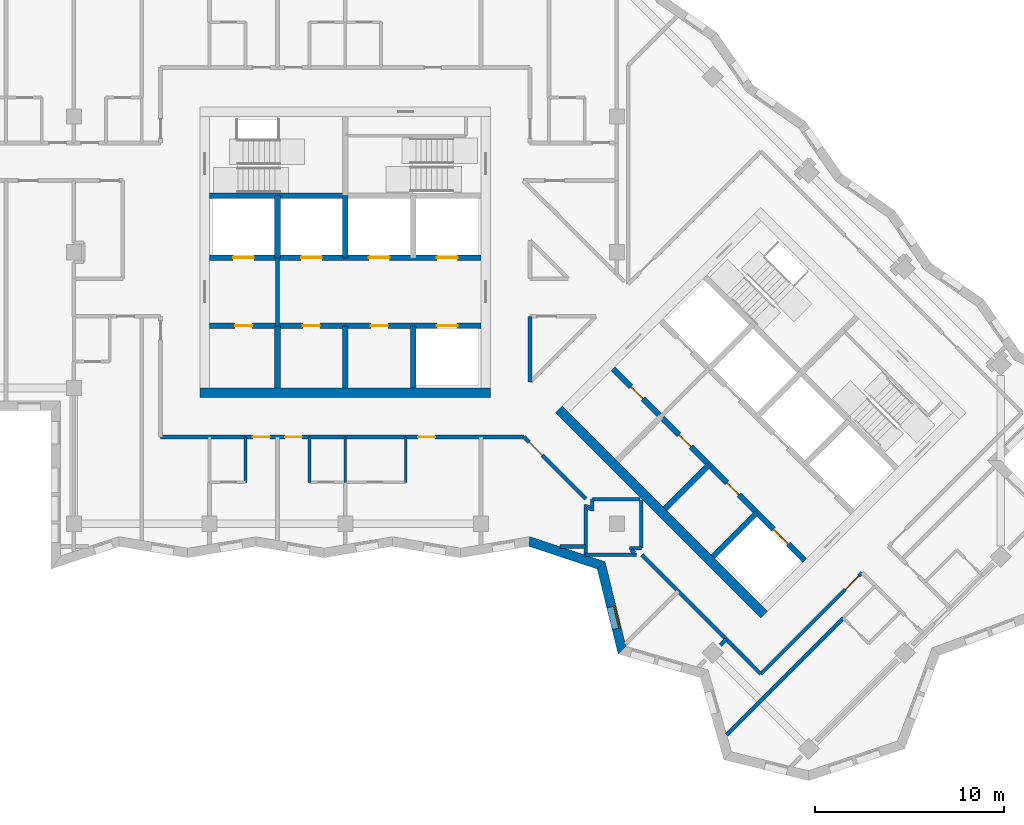
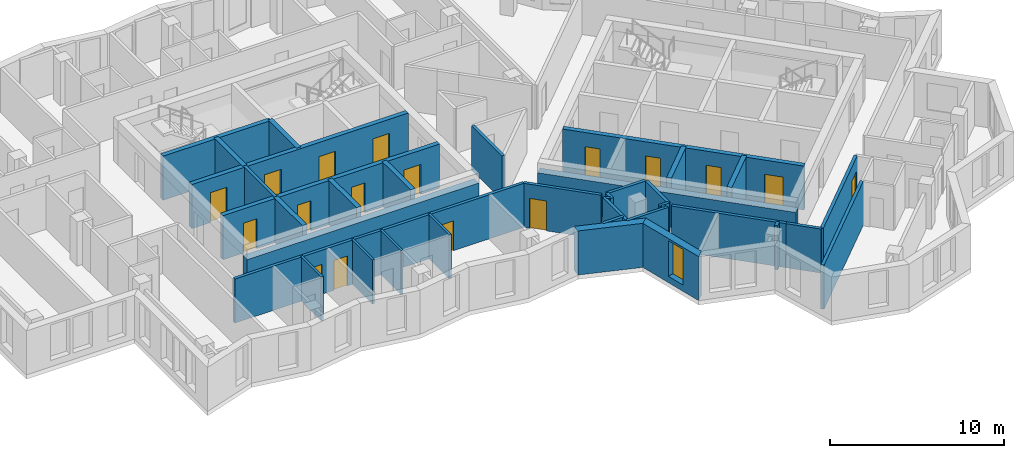
# One storey, part 4 of 13: 37 walls, 17 doors, 1 window, 18 openings.
"""IFC4 building model written with IfcOpenShell, lengths in metres."""

from ifc_helpers import new_model, si_unit, direction, frame, frame_2d, origin, place, context, subcontext, project, spatial, polyline, rectangle, outline, extrude, material, layer, layer_set, type_object, element, fill, save


model = new_model("IFC4")

# Units and contexts
model_context = context("Model", 3, precision=1e-05, world=origin(), true_north=direction((0.0, 1.0)))
body_context = subcontext(model_context, "Body", "Model", "MODEL_VIEW")
ifc_project = project(units=[si_unit("LENGTHUNIT", "METRE"), si_unit("AREAUNIT", "SQUARE_METRE"), si_unit("VOLUMEUNIT", "CUBIC_METRE"), si_unit("PLANEANGLEUNIT", "RADIAN"), si_unit("MASSUNIT", "GRAM", prefix="KILO")], contexts=[model_context])

# Site, building, storey
site_placement = place(None, origin())
site = spatial("IfcSite", under=ifc_project, at=site_placement, CompositionType="ELEMENT")
building_placement = place(site_placement, origin())
building = spatial("IfcBuilding", under=site, at=building_placement, Name="Windrow Commons", CompositionType="ELEMENT")
storey_placement = place(building_placement, frame((0.0, 0.0, 223.6)))
storey = spatial("IfcBuildingStorey", under=building, at=storey_placement, Name="L61", CompositionType="ELEMENT", Elevation=223.6)

# Wall
ifc_material_1 = material(Name="Brick masonry, red clay brick", Category="masonry")
ifc_layer_1 = layer(ifc_material_1, 0.5)
ifc_layer_set_1 = layer_set([ifc_layer_1], Name="Brick facade wall 500")
wall_type_1 = type_object("IfcWallType", Name="Brick facade wall 500", PredefinedType="SOLIDWALL", material=ifc_layer_set_1)
wall_1_placement = place(storey_placement, frame((74.5591, 42.2568, 0.0), z_axis=(0.0, 0.0, 1.0), x_axis=(0.9489644032, -0.3153831979, 0.0)))
element("IfcWall", 1, at=wall_1_placement, inside=storey, type_object=wall_type_1, Name="Brick facade wall L61 45", PredefinedType="SOLIDWALL", context=body_context, shape_type="SweptSolid", body=[
    extrude(outline(polyline([(0.062, -0.25), (3.8765, -0.25), (4.1524, 0.25), (-0.062, 0.25), (0.062, -0.25)])), origin(), (0.0, 0.0, 1.0), 3.1),
])

# Wall, opening, window
wall_2_placement = place(storey_placement, frame((78.3687, 40.9907, 0.0), z_axis=(0.0, 0.0, 1.0), x_axis=(0.2390889045, -0.9709976806, 0.0)))
wall_2 = element("IfcWall", 2, at=wall_2_placement, inside=storey, type_object=wall_type_1, Name="Brick facade wall L61 46", PredefinedType="SOLIDWALL", context=body_context, shape_type="SweptSolid", body=[
    extrude(outline(polyline([(0.138, -0.25), (4.7754, -0.25), (4.4857, 0.25), (-0.138, 0.25), (0.138, -0.25)])), origin(), (0.0, 0.0, 1.0), 3.1),
])
opening_1_placement = place(wall_2_placement, frame((2.259, 0.0, 0.45)))
opening_1 = element("IfcOpeningElement", 3, at=opening_1_placement, cuts=wall_2, Name="Opening W7E", PredefinedType="OPENING", context=body_context, shape_type="SweptSolid", body=[
    extrude(rectangle(XDim=1.2, YDim=2.5, at=frame_2d((0.6, 1.25))), frame((0.0, 0.26, 0.0), z_axis=(0.0, -1.0, 0.0), x_axis=(1.0, 0.0, 0.0)), (0.0, 0.0, 1.0), 0.52),
])
ifc_material_2 = material(Name="Clear float glass in anodised aluminium frame", Category="aluminium")
window_type = type_object("IfcWindowType", Name="Window W7 notch 1200x2500", PartitioningType="SINGLE_PANEL", PredefinedType="WINDOW", material=ifc_material_2)
window_placement = place(opening_1_placement, origin())
window = element("IfcWindow", 4, at=window_placement, inside=storey, type_object=window_type, Name="Window L61 46.1", OverallHeight=2.5, OverallWidth=1.2, PartitioningType="SINGLE_PANEL", PredefinedType="WINDOW", context=body_context, shape_type="SweptSolid", body=[
    extrude(rectangle(XDim=1.2, YDim=2.5, at=frame_2d((0.6, 1.25))), frame((0.0, 0.18, 0.0), z_axis=(0.0, -1.0, 0.0), x_axis=(1.0, 0.0, 0.0)), (0.0, 0.0, 1.0), 0.06),
])
fill(opening_1, window)

# Wall
ifc_material_3 = material(Name="Blockwork partition", Category="masonry")
ifc_layer_2 = layer(ifc_material_3, 0.2)
ifc_layer_set_2 = layer_set([ifc_layer_2], Name="Fire lobby partition 200")
wall_type_2 = type_object("IfcWallType", Name="Fire lobby partition 200", PredefinedType="PARTITIONING", material=ifc_layer_set_2)
wall_3_placement = place(storey_placement, frame((61.2, 53.7, 0.0), z_axis=(0.0, 0.0, 1.0), x_axis=(0.0, 1.0, 0.0)))
element("IfcWall", 5, at=wall_3_placement, inside=storey, type_object=wall_type_2, Name="W-core-lobby-A-L61", PredefinedType="PARTITIONING", context=body_context, shape_type="SweptSolid", body=[
    extrude(rectangle(XDim=3.6, YDim=0.2, at=frame_2d((1.8, 0.0))), origin(), (0.0, 0.0, 1.0), 3.1),
])

# Wall, openings, doors
ifc_material_4 = material(Name="Blockwork partition", Category="masonry")
ifc_layer_3 = layer(ifc_material_4, 0.2)
ifc_layer_set_3 = layer_set([ifc_layer_3], Name="IW-CORRIDOR-200")
wall_type_3 = type_object("IfcWallType", Name="IW-CORRIDOR-200", PredefinedType="PARTITIONING", material=ifc_layer_set_3)
wall_4_placement = place(storey_placement, frame((55.0, 47.8, 0.0), z_axis=(0.0, 0.0, 1.0), x_axis=(1.0, 0.0, 0.0)))
wall_4 = element("IfcWall", 6, at=wall_4_placement, inside=storey, type_object=wall_type_3, Name="W-L61-W001", PredefinedType="PARTITIONING", context=body_context, shape_type="SweptSolid", body=[
    extrude(rectangle(XDim=19.266, YDim=0.2, at=frame_2d((9.633, 0.0))), origin(), (0.0, 0.0, 1.0), 3.1),
])
opening_2_placement = place(wall_4_placement, frame((4.9, 0.0, 0.0)))
opening_2 = element("IfcOpeningElement", 7, at=opening_2_placement, cuts=wall_4, Name="Opening D109S", PredefinedType="OPENING", context=body_context, shape_type="SweptSolid", body=[
    extrude(rectangle(XDim=0.9, YDim=2.1, at=frame_2d((0.45, 1.05))), frame((0.0, 0.11, 0.0), z_axis=(0.0, -1.0, 0.0), x_axis=(1.0, 0.0, 0.0)), (0.0, 0.0, 1.0), 0.22),
])
opening_3_placement = place(wall_4_placement, frame((6.6, 0.0, 0.0)))
opening_3 = element("IfcOpeningElement", 8, at=opening_3_placement, cuts=wall_4, Name="Opening D109S", PredefinedType="OPENING", context=body_context, shape_type="SweptSolid", body=[
    extrude(rectangle(XDim=0.9, YDim=2.1, at=frame_2d((0.45, 1.05))), frame((0.0, 0.11, 0.0), z_axis=(0.0, -1.0, 0.0), x_axis=(1.0, 0.0, 0.0)), (0.0, 0.0, 1.0), 0.22),
])
opening_4_placement = place(wall_4_placement, frame((13.6607, 0.0, 0.0)))
opening_4 = element("IfcOpeningElement", 9, at=opening_4_placement, cuts=wall_4, Name="Opening D109F", PredefinedType="OPENING", context=body_context, shape_type="SweptSolid", body=[
    extrude(rectangle(XDim=0.9, YDim=2.1, at=frame_2d((0.45, 1.05))), frame((0.0, 0.11, 0.0), z_axis=(0.0, -1.0, 0.0), x_axis=(1.0, 0.0, 0.0)), (0.0, 0.0, 1.0), 0.22),
])
ifc_material_5 = material(Name="Timber door leaf", Category="wood")
door_type_1 = type_object("IfcDoorType", Name="DT-BEDROOM-900", OperationType="SINGLE_SWING_LEFT", PredefinedType="DOOR", material=ifc_material_5)
door_1_placement = place(opening_2_placement, origin())
door_1 = element("IfcDoor", 10, at=door_1_placement, inside=storey, type_object=door_type_1, Name="D-L61-D030", OperationType="SINGLE_SWING_LEFT", OverallHeight=2.1, OverallWidth=0.9, PredefinedType="DOOR", context=body_context, shape_type="SweptSolid", body=[
    extrude(rectangle(XDim=0.9, YDim=2.1, at=frame_2d((0.45, 1.05))), frame((0.0, 0.025, 0.0), z_axis=(0.0, -1.0, 0.0), x_axis=(1.0, 0.0, 0.0)), (0.0, 0.0, 1.0), 0.05),
])
fill(opening_2, door_1)
door_2_placement = place(opening_3_placement, origin())
door_2 = element("IfcDoor", 11, at=door_2_placement, inside=storey, type_object=door_type_1, Name="D-L61-D032", OperationType="SINGLE_SWING_RIGHT", OverallHeight=2.1, OverallWidth=0.9, PredefinedType="DOOR", context=body_context, shape_type="SweptSolid", body=[
    extrude(rectangle(XDim=0.9, YDim=2.1, at=frame_2d((0.45, 1.05))), frame((0.0, 0.025, 0.0), z_axis=(0.0, -1.0, 0.0), x_axis=(1.0, 0.0, 0.0)), (0.0, 0.0, 1.0), 0.05),
])
fill(opening_3, door_2)
door_3_placement = place(opening_4_placement, origin())
door_3 = element("IfcDoor", 12, at=door_3_placement, inside=storey, type_object=door_type_1, Name="D-L61-D034", OperationType="SINGLE_SWING_LEFT", OverallHeight=2.1, OverallWidth=0.9, PredefinedType="DOOR", context=body_context, shape_type="SweptSolid", body=[
    extrude(rectangle(XDim=0.9, YDim=2.1, at=frame_2d((0.45, 1.05))), frame((0.0, 0.025, 0.0), z_axis=(0.0, -1.0, 0.0), x_axis=(1.0, 0.0, 0.0)), (0.0, 0.0, 1.0), 0.05),
])
fill(opening_4, door_3)

# Wall, opening, door
wall_5_placement = place(storey_placement, frame((86.8353, 35.2307, 0.0), z_axis=(0.0, 0.0, 1.0), x_axis=(0.7071067812, 0.7071067812, 0.0)))
wall_5 = element("IfcWall", 13, at=wall_5_placement, inside=storey, type_object=wall_type_3, Name="W-L61-W013", PredefinedType="PARTITIONING", context=body_context, shape_type="SweptSolid", body=[
    extrude(rectangle(XDim=7.6, YDim=0.2, at=frame_2d((3.8, 0.0))), origin(), (0.0, 0.0, 1.0), 3.1),
])
opening_5_placement = place(wall_5_placement, frame((6.3464, 0.0, 0.0)))
opening_5 = element("IfcOpeningElement", 14, at=opening_5_placement, cuts=wall_5, Name="Opening D310F", PredefinedType="OPENING", context=body_context, shape_type="SweptSolid", body=[
    extrude(rectangle(XDim=1.0, YDim=2.1, at=frame_2d((0.5, 1.05))), frame((0.0, 0.11, 0.0), z_axis=(0.0, -1.0, 0.0), x_axis=(1.0, 0.0, 0.0)), (0.0, 0.0, 1.0), 0.22),
])
ifc_material_6 = material(Name="Timber door leaf", Category="wood")
door_type_2 = type_object("IfcDoorType", Name="DT-AMENITY-1000", OperationType="SINGLE_SWING_LEFT", PredefinedType="DOOR", material=ifc_material_6)
door_4_placement = place(opening_5_placement, origin())
door_4 = element("IfcDoor", 15, at=door_4_placement, inside=storey, type_object=door_type_2, Name="D-L61-D050", OperationType="SINGLE_SWING_RIGHT", OverallHeight=2.1, OverallWidth=1.0, PredefinedType="DOOR", context=body_context, shape_type="SweptSolid", body=[
    extrude(rectangle(XDim=1.0, YDim=2.1, at=frame_2d((0.5, 1.05))), frame((0.0, 0.025, 0.0), z_axis=(0.0, -1.0, 0.0), x_axis=(1.0, 0.0, 0.0)), (0.0, 0.0, 1.0), 0.05),
])
fill(opening_5, door_4)

# Wall
wall_6_placement = place(storey_placement, frame((80.5215, 41.5535, 0.0), z_axis=(0.0, 0.0, 1.0), x_axis=(0.7071067812, -0.7071067812, 0.0)))
element("IfcWall", 16, at=wall_6_placement, inside=storey, type_object=wall_type_3, Name="W-L61-W018", PredefinedType="PARTITIONING", context=body_context, shape_type="SweptSolid", body=[
    extrude(rectangle(XDim=6.8363, YDim=0.2, at=frame_2d((3.4181, 0.0))), origin(), (0.0, 0.0, 1.0), 3.1),
])

# Wall, opening, door
wall_7_placement = place(storey_placement, frame((74.2715, 47.8035, 0.0), z_axis=(0.0, 0.0, 1.0), x_axis=(0.7071067812, -0.7071067812, 0.0)))
wall_7 = element("IfcWall", 17, at=wall_7_placement, inside=storey, type_object=wall_type_3, Name="W-L61-W036", PredefinedType="PARTITIONING", context=body_context, shape_type="SweptSolid", body=[
    extrude(rectangle(XDim=4.6414, YDim=0.2, at=frame_2d((2.3207, 0.0))), origin(), (0.0, 0.0, 1.0), 3.1),
])
opening_6_placement = place(wall_7_placement, frame((0.3824, 0.0, 0.0)))
opening_6 = element("IfcOpeningElement", 18, at=opening_6_placement, cuts=wall_7, Name="Opening D310F", PredefinedType="OPENING", context=body_context, shape_type="SweptSolid", body=[
    extrude(rectangle(XDim=1.0, YDim=2.1, at=frame_2d((0.5, 1.05))), frame((0.0, 0.11, 0.0), z_axis=(0.0, -1.0, 0.0), x_axis=(1.0, 0.0, 0.0)), (0.0, 0.0, 1.0), 0.22),
])
door_5_placement = place(opening_6_placement, origin())
door_5 = element("IfcDoor", 19, at=door_5_placement, inside=storey, type_object=door_type_2, Name="D-L61-D036", OperationType="SINGLE_SWING_LEFT", OverallHeight=2.1, OverallWidth=1.0, PredefinedType="DOOR", context=body_context, shape_type="SweptSolid", body=[
    extrude(rectangle(XDim=1.0, YDim=2.1, at=frame_2d((0.5, 1.05))), frame((0.0, 0.025, 0.0), z_axis=(0.0, -1.0, 0.0), x_axis=(1.0, 0.0, 0.0)), (0.0, 0.0, 1.0), 0.05),
])
fill(opening_6, door_5)

# Walls
wall_8_placement = place(storey_placement, frame((74.6, 50.714, 0.0), z_axis=(0.0, 0.0, 1.0), x_axis=(0.0, 1.0, 0.0)))
element("IfcWall", 20, at=wall_8_placement, inside=storey, type_object=wall_type_3, Name="W-L61-W058", PredefinedType="PARTITIONING", context=body_context, shape_type="SweptSolid", body=[
    extrude(rectangle(XDim=3.486, YDim=0.2, at=frame_2d((1.743, 0.0))), origin(), (0.0, 0.0, 1.0), 3.1),
])
for number, where, z_axis, x_axis, name in (
    (21, (77.902, 44.5, 0.0), (0.0, 0.0, 1.0), (1.0, 0.0, 0.0), "W-L61-W068"),
    (22, (80.5, 41.902, 0.0), (0.0, 0.0, 1.0), (0.0, 1.0, 0.0), "W-L61-W069"),
):
    element("IfcWall", number, at=place(storey_placement, frame(where, z_axis=z_axis, x_axis=x_axis)), inside=storey, type_object=wall_type_3, Name=name, PredefinedType="PARTITIONING", context=body_context, shape_type="SweptSolid", body=[
        extrude(rectangle(XDim=2.522, YDim=0.2, at=frame_2d((1.261, 0.0))), origin(), (0.0, 0.0, 1.0), 3.1),
    ])
wall_9_placement = place(storey_placement, frame((85.3532, 36.7172, 0.0), z_axis=(0.0, 0.0, 1.0), x_axis=(0.7066304548, -0.7075827869, 0.0)))
element("IfcWall", 23, at=wall_9_placement, inside=storey, type_object=wall_type_3, Name="W-L61-W104", PredefinedType="PARTITIONING", context=body_context, shape_type="SweptSolid", body=[
    extrude(rectangle(XDim=2.1001, YDim=0.2, at=frame_2d((1.05, 0.0))), origin(), (0.0, 0.0, 1.0), 3.1),
])
for number, where, z_axis, x_axis, name in (
    (24, (77.9, 43.884, 0.0), (0.0, 0.0, 1.0), (0.0, 1.0, 0.0), "W-L61-W156"),
    (25, (79.884, 41.9, 0.0), (0.0, 0.0, 1.0), (1.0, 0.0, 0.0), "W-L61-W157"),
):
    element("IfcWall", number, at=place(storey_placement, frame(where, z_axis=z_axis, x_axis=x_axis)), inside=storey, type_object=wall_type_3, Name=name, PredefinedType="PARTITIONING", context=body_context, shape_type="SweptSolid", body=[
        extrude(rectangle(XDim=0.616, YDim=0.2, at=frame_2d((0.308, 0.0))), origin(), (0.0, 0.0, 1.0), 3.1),
    ])
for number, where, z_axis, x_axis, name in (
    (26, (79.9729, 41.805, 0.0), (0.0, 0.0, 1.0), (0.707329037, -0.7068844555, 0.0), "W-L61-W166"),
    (27, (77.646, 44.132, 0.0), (0.0, 0.0, 1.0), (0.7068844555, -0.707329037, 0.0), "W-L61-W167"),
):
    element("IfcWall", number, at=place(storey_placement, frame(where, z_axis=z_axis, x_axis=x_axis)), inside=storey, type_object=wall_type_3, Name=name, PredefinedType="PARTITIONING", context=body_context, shape_type="SweptSolid", body=[
        extrude(rectangle(XDim=0.2249, YDim=0.2, at=frame_2d((0.1124, 0.0))), origin(), (0.0, 0.0, 1.0), 3.1),
    ])
ifc_material_7 = material(Name="Blockwork partition", Category="masonry")
ifc_layer_4 = layer(ifc_material_7, 0.15)
ifc_layer_set_4 = layer_set([ifc_layer_4], Name="IW-ENSUITE-150")
wall_type_4 = type_object("IfcWallType", Name="IW-ENSUITE-150", PredefinedType="PARTITIONING", material=ifc_layer_set_4)
for number, where, z_axis, x_axis, name in (
    (28, (59.5, 45.4, 0.0), (0.0, 0.0, 1.0), (0.0, 1.0, 0.0), "W-L61-W089"),
    (29, (62.9, 45.4, 0.0), (0.0, 0.0, 1.0), (0.0, 1.0, 0.0), "W-L61-W091"),
    (30, (68.0, 45.4, 0.0), (0.0, 0.0, 1.0), (0.0, 1.0, 0.0), "W-L61-W092"),
    (31, (64.8, 45.4, 0.0), (0.0, 0.0, 1.0), (0.0, 1.0, 0.0), "W-L61-W093"),
):
    element("IfcWall", number, at=place(storey_placement, frame(where, z_axis=z_axis, x_axis=x_axis)), inside=storey, type_object=wall_type_4, Name=name, PredefinedType="PARTITIONING", context=body_context, shape_type="SweptSolid", body=[
        extrude(rectangle(XDim=2.4, YDim=0.15, at=frame_2d((1.2, 0.0))), origin(), (0.0, 0.0, 1.0), 3.1),
    ])
ifc_material_8 = material(Name="Blockwork partition", Category="masonry")
ifc_layer_5 = layer(ifc_material_8, 0.2)
ifc_layer_set_5 = layer_set([ifc_layer_5], Name="IW-PARTY-200")
wall_type_5 = type_object("IfcWallType", Name="IW-PARTY-200", PredefinedType="PARTITIONING", material=ifc_layer_set_5)
wall_10_placement = place(storey_placement, frame((85.0212, 32.0023, 0.0), z_axis=(0.0, 0.0, 1.0), x_axis=(0.7071010771, 0.7071124852, 0.0)))
element("IfcWall", 32, at=wall_10_placement, inside=storey, type_object=wall_type_5, Name="W-L61-W012", PredefinedType="PARTITIONING", context=body_context, shape_type="SweptSolid", body=[
    extrude(rectangle(XDim=8.7656, YDim=0.2, at=frame_2d((4.3828, 0.0))), origin(), (0.0, 0.0, 1.0), 3.1),
])
wall_11_placement = place(storey_placement, frame((77.5285, 41.55, 0.0), z_axis=(0.0, 0.0, 1.0), x_axis=(1.0, 0.0, 0.0)))
element("IfcWall", 33, at=wall_11_placement, inside=storey, type_object=wall_type_5, Name="W-L61-W063", PredefinedType="PARTITIONING", context=body_context, shape_type="SweptSolid", body=[
    extrude(rectangle(XDim=2.7055, YDim=0.2, at=frame_2d((1.3527, 0.0))), origin(), (0.0, 0.0, 1.0), 3.1),
])
wall_12_placement = place(storey_placement, frame((77.55, 41.5262, 0.0), z_axis=(0.0, 0.0, 1.0), x_axis=(0.0, 1.0, 0.0)))
element("IfcWall", 34, at=wall_12_placement, inside=storey, type_object=wall_type_5, Name="W-L61-W065", PredefinedType="PARTITIONING", context=body_context, shape_type="SweptSolid", body=[
    extrude(rectangle(XDim=2.7078, YDim=0.2, at=frame_2d((1.3539, 0.0))), origin(), (0.0, 0.0, 1.0), 3.1),
])
wall_13_placement = place(storey_placement, frame((76.1745, 42.0, 0.0), z_axis=(0.0, 0.0, 1.0), x_axis=(1.0, 0.0, 0.0)))
element("IfcWall", 35, at=wall_13_placement, inside=storey, type_object=wall_type_5, Name="W-L61-W132", PredefinedType="PARTITIONING", context=body_context, shape_type="SweptSolid", body=[
    extrude(rectangle(XDim=1.3755, YDim=0.2, at=frame_2d((0.6877, 0.0))), origin(), (0.0, 0.0, 1.0), 3.1),
])
wall_14_placement = place(storey_placement, frame((84.6908, 36.7632, 0.0), z_axis=(0.0, 0.0, 1.0), x_axis=(0.7071067812, 0.7071067812, 0.0)))
element("IfcWall", 36, at=wall_14_placement, inside=storey, type_object=wall_type_5, Name="W-L61-W185", PredefinedType="PARTITIONING", context=body_context, shape_type="SweptSolid", body=[
    extrude(rectangle(XDim=0.4327, YDim=0.2, at=frame_2d((0.2163, 0.0))), origin(), (0.0, 0.0, 1.0), 3.1),
])
ifc_material_9 = material(Name="Concrete C40/50", Category="concrete")
ifc_layer_6 = layer(ifc_material_9, 0.5)
ifc_layer_set_6 = layer_set([ifc_layer_6], Name="RC CORE WALL 500 C40/50")
wall_type_6 = type_object("IfcWallType", Name="RC CORE WALL 500 C40/50", PredefinedType="SHEAR", material=ifc_layer_set_6)
wall_15_placement = place(storey_placement, frame((57.1, 50.15, -0.3), z_axis=(0.0, 0.0, 1.0), x_axis=(1.0, 0.0, 0.0)))
element("IfcWall", 37, at=wall_15_placement, inside=storey, type_object=wall_type_6, Name="Core A wall outer-S", PredefinedType="SHEAR", context=body_context, shape_type="SweptSolid", body=[
    extrude(rectangle(XDim=15.4, YDim=0.5, at=frame_2d((7.7, 0.0))), origin(), (0.0, 0.0, 1.0), 2.7),
])
wall_16_placement = place(storey_placement, frame((76.1241, 49.2665, -0.3), z_axis=(0.0, 0.0, 1.0), x_axis=(0.7071067812, -0.7071067812, 0.0)))
element("IfcWall", 38, at=wall_16_placement, inside=storey, type_object=wall_type_6, Name="Core B wall outer-S", PredefinedType="SHEAR", context=body_context, shape_type="SweptSolid", body=[
    extrude(rectangle(XDim=15.3999, YDim=0.5, at=frame_2d((7.7, 0.0))), origin(), (0.0, 0.0, 1.0), 2.7),
])
ifc_material_10 = material(Name="Concrete C40/50", Category="concrete")
ifc_layer_7 = layer(ifc_material_10, 0.3)
ifc_layer_set_7 = layer_set([ifc_layer_7], Name="RC SHAFT WALL 300 C40/50")
wall_type_7 = type_object("IfcWallType", Name="RC SHAFT WALL 300 C40/50", PredefinedType="SOLIDWALL", material=ifc_layer_set_7)
for number, where, z_axis, x_axis, name in (
    (39, (61.2, 50.4, 0.0), (0.0, 0.0, 1.0), (0.0, 1.0, 0.0), "Core A wall shaft-S1"),
    (40, (61.2, 57.3, 0.0), (0.0, 0.0, 1.0), (0.0, 1.0, 0.0), "Core A wall shaft-N1"),
    (41, (64.8, 50.4, 0.0), (0.0, 0.0, 1.0), (0.0, 1.0, 0.0), "Core A wall shaft-S2"),
    (42, (64.8, 57.3, 0.0), (0.0, 0.0, 1.0), (0.0, 1.0, 0.0), "Core A wall shaft-N2"),
    (43, (68.4, 50.4, 0.0), (0.0, 0.0, 1.0), (0.0, 1.0, 0.0), "Core A wall shaft-S3"),
):
    element("IfcWall", number, at=place(storey_placement, frame(where, z_axis=z_axis, x_axis=x_axis)), inside=storey, type_object=wall_type_7, Name=name, PredefinedType="SOLIDWALL", context=body_context, shape_type="SweptSolid", body=[
        extrude(rectangle(XDim=3.3, YDim=0.3, at=frame_2d((1.65, 0.0))), origin(), (0.0, 0.0, 1.0), 3.1),
    ])

# Wall, openings, doors
wall_17_placement = place(storey_placement, frame((57.6, 53.7, 0.0), z_axis=(0.0, 0.0, 1.0), x_axis=(1.0, 0.0, 0.0)))
wall_17 = element("IfcWall", 44, at=wall_17_placement, inside=storey, type_object=wall_type_7, Name="Core A wall lobby-S", PredefinedType="SOLIDWALL", context=body_context, shape_type="SweptSolid", body=[
    extrude(rectangle(XDim=14.4, YDim=0.3, at=frame_2d((7.2, 0.0))), origin(), (0.0, 0.0, 1.0), 3.1),
])
opening_7_placement = place(wall_17_placement, frame((1.35, 0.0, 0.0)))
opening_7 = element("IfcOpeningElement", 45, at=opening_7_placement, cuts=wall_17, Name="Opening D8", PredefinedType="OPENING", context=body_context, shape_type="SweptSolid", body=[
    extrude(rectangle(XDim=0.9, YDim=2.1, at=frame_2d((0.45, 1.05))), frame((0.0, 0.16, 0.0), z_axis=(0.0, -1.0, 0.0), x_axis=(1.0, 0.0, 0.0)), (0.0, 0.0, 1.0), 0.32),
])
opening_8_placement = place(wall_17_placement, frame((4.95, 0.0, 0.0)))
opening_8 = element("IfcOpeningElement", 46, at=opening_8_placement, cuts=wall_17, Name="Opening D8", PredefinedType="OPENING", context=body_context, shape_type="SweptSolid", body=[
    extrude(rectangle(XDim=0.9, YDim=2.1, at=frame_2d((0.45, 1.05))), frame((0.0, 0.16, 0.0), z_axis=(0.0, -1.0, 0.0), x_axis=(1.0, 0.0, 0.0)), (0.0, 0.0, 1.0), 0.32),
])
opening_9_placement = place(wall_17_placement, frame((8.55, 0.0, 0.0)))
opening_9 = element("IfcOpeningElement", 47, at=opening_9_placement, cuts=wall_17, Name="Opening D8", PredefinedType="OPENING", context=body_context, shape_type="SweptSolid", body=[
    extrude(rectangle(XDim=0.9, YDim=2.1, at=frame_2d((0.45, 1.05))), frame((0.0, 0.16, 0.0), z_axis=(0.0, -1.0, 0.0), x_axis=(1.0, 0.0, 0.0)), (0.0, 0.0, 1.0), 0.32),
])
opening_10_placement = place(wall_17_placement, frame((12.05, 0.0, 0.0)))
opening_10 = element("IfcOpeningElement", 48, at=opening_10_placement, cuts=wall_17, Name="Opening LD", PredefinedType="OPENING", context=body_context, shape_type="SweptSolid", body=[
    extrude(rectangle(XDim=1.1, YDim=2.1, at=frame_2d((0.55, 1.05))), frame((0.0, 0.16, 0.0), z_axis=(0.0, -1.0, 0.0), x_axis=(1.0, 0.0, 0.0)), (0.0, 0.0, 1.0), 0.32),
])
ifc_material_11 = material(Name="Steel fire door leaf", Category="steel")
door_type_3 = type_object("IfcDoorType", Name="Core store door 900", OperationType="SINGLE_SWING_LEFT", PredefinedType="DOOR", material=ifc_material_11)
door_6_placement = place(opening_7_placement, origin())
door_6 = element("IfcDoor", 49, at=door_6_placement, inside=storey, type_object=door_type_3, Name="Store door", OperationType="SINGLE_SWING_LEFT", OverallHeight=2.1, OverallWidth=0.9, PredefinedType="DOOR", context=body_context, shape_type="SweptSolid", body=[
    extrude(rectangle(XDim=0.9, YDim=2.1, at=frame_2d((0.45, 1.05))), frame((0.0, 0.025, 0.0), z_axis=(0.0, -1.0, 0.0), x_axis=(1.0, 0.0, 0.0)), (0.0, 0.0, 1.0), 0.05),
])
fill(opening_7, door_6)
door_7_placement = place(opening_8_placement, origin())
door_7 = element("IfcDoor", 50, at=door_7_placement, inside=storey, type_object=door_type_3, Name="Store door", OperationType="SINGLE_SWING_LEFT", OverallHeight=2.1, OverallWidth=0.9, PredefinedType="DOOR", context=body_context, shape_type="SweptSolid", body=[
    extrude(rectangle(XDim=0.9, YDim=2.1, at=frame_2d((0.45, 1.05))), frame((0.0, 0.025, 0.0), z_axis=(0.0, -1.0, 0.0), x_axis=(1.0, 0.0, 0.0)), (0.0, 0.0, 1.0), 0.05),
])
fill(opening_8, door_7)
door_8_placement = place(opening_9_placement, origin())
door_8 = element("IfcDoor", 51, at=door_8_placement, inside=storey, type_object=door_type_3, Name="Store door", OperationType="SINGLE_SWING_LEFT", OverallHeight=2.1, OverallWidth=0.9, PredefinedType="DOOR", context=body_context, shape_type="SweptSolid", body=[
    extrude(rectangle(XDim=0.9, YDim=2.1, at=frame_2d((0.45, 1.05))), frame((0.0, 0.025, 0.0), z_axis=(0.0, -1.0, 0.0), x_axis=(1.0, 0.0, 0.0)), (0.0, 0.0, 1.0), 0.05),
])
fill(opening_9, door_8)
ifc_material_12 = material(Name="Stainless steel door leaf", Category="steel")
door_type_4 = type_object("IfcDoorType", Name="Lift landing door 1100", OperationType="SLIDING_TO_LEFT", PredefinedType="DOOR", material=ifc_material_12)
door_9_placement = place(opening_10_placement, origin())
door_9 = element("IfcDoor", 52, at=door_9_placement, inside=storey, type_object=door_type_4, Name="Lift landing door", OperationType="SLIDING_TO_RIGHT", OverallHeight=2.1, OverallWidth=1.1, PredefinedType="DOOR", context=body_context, shape_type="SweptSolid", body=[
    extrude(rectangle(XDim=1.1, YDim=2.1, at=frame_2d((0.55, 1.05))), frame((0.0, 0.025, 0.0), z_axis=(0.0, -1.0, 0.0), x_axis=(1.0, 0.0, 0.0)), (0.0, 0.0, 1.0), 0.05),
])
fill(opening_10, door_9)

wall_18_placement = place(storey_placement, frame((57.6, 57.3, 0.0), z_axis=(0.0, 0.0, 1.0), x_axis=(1.0, 0.0, 0.0)))
wall_18 = element("IfcWall", 53, at=wall_18_placement, inside=storey, type_object=wall_type_7, Name="Core A wall lobby-N", PredefinedType="SOLIDWALL", context=body_context, shape_type="SweptSolid", body=[
    extrude(rectangle(XDim=14.4, YDim=0.3, at=frame_2d((7.2, 0.0))), origin(), (0.0, 0.0, 1.0), 3.1),
])
opening_11_placement = place(wall_18_placement, frame((1.25, 0.0, 0.0)))
opening_11 = element("IfcOpeningElement", 54, at=opening_11_placement, cuts=wall_18, Name="Opening LD", PredefinedType="OPENING", context=body_context, shape_type="SweptSolid", body=[
    extrude(rectangle(XDim=1.1, YDim=2.1, at=frame_2d((0.55, 1.05))), frame((0.0, 0.16, 0.0), z_axis=(0.0, -1.0, 0.0), x_axis=(1.0, 0.0, 0.0)), (0.0, 0.0, 1.0), 0.32),
])
opening_12_placement = place(wall_18_placement, frame((4.85, 0.0, 0.0)))
opening_12 = element("IfcOpeningElement", 55, at=opening_12_placement, cuts=wall_18, Name="Opening LD", PredefinedType="OPENING", context=body_context, shape_type="SweptSolid", body=[
    extrude(rectangle(XDim=1.1, YDim=2.1, at=frame_2d((0.55, 1.05))), frame((0.0, 0.16, 0.0), z_axis=(0.0, -1.0, 0.0), x_axis=(1.0, 0.0, 0.0)), (0.0, 0.0, 1.0), 0.32),
])
opening_13_placement = place(wall_18_placement, frame((8.45, 0.0, 0.0)))
opening_13 = element("IfcOpeningElement", 56, at=opening_13_placement, cuts=wall_18, Name="Opening LD", PredefinedType="OPENING", context=body_context, shape_type="SweptSolid", body=[
    extrude(rectangle(XDim=1.1, YDim=2.1, at=frame_2d((0.55, 1.05))), frame((0.0, 0.16, 0.0), z_axis=(0.0, -1.0, 0.0), x_axis=(1.0, 0.0, 0.0)), (0.0, 0.0, 1.0), 0.32),
])
opening_14_placement = place(wall_18_placement, frame((12.05, 0.0, 0.0)))
opening_14 = element("IfcOpeningElement", 57, at=opening_14_placement, cuts=wall_18, Name="Opening LD", PredefinedType="OPENING", context=body_context, shape_type="SweptSolid", body=[
    extrude(rectangle(XDim=1.1, YDim=2.1, at=frame_2d((0.55, 1.05))), frame((0.0, 0.16, 0.0), z_axis=(0.0, -1.0, 0.0), x_axis=(1.0, 0.0, 0.0)), (0.0, 0.0, 1.0), 0.32),
])
door_10_placement = place(opening_11_placement, origin())
door_10 = element("IfcDoor", 58, at=door_10_placement, inside=storey, type_object=door_type_4, Name="Lift landing door", OperationType="SLIDING_TO_LEFT", OverallHeight=2.1, OverallWidth=1.1, PredefinedType="DOOR", context=body_context, shape_type="SweptSolid", body=[
    extrude(rectangle(XDim=1.1, YDim=2.1, at=frame_2d((0.55, 1.05))), frame((0.0, 0.025, 0.0), z_axis=(0.0, -1.0, 0.0), x_axis=(1.0, 0.0, 0.0)), (0.0, 0.0, 1.0), 0.05),
])
fill(opening_11, door_10)
door_11_placement = place(opening_12_placement, origin())
door_11 = element("IfcDoor", 59, at=door_11_placement, inside=storey, type_object=door_type_4, Name="Lift landing door", OperationType="SLIDING_TO_RIGHT", OverallHeight=2.1, OverallWidth=1.1, PredefinedType="DOOR", context=body_context, shape_type="SweptSolid", body=[
    extrude(rectangle(XDim=1.1, YDim=2.1, at=frame_2d((0.55, 1.05))), frame((0.0, 0.025, 0.0), z_axis=(0.0, -1.0, 0.0), x_axis=(1.0, 0.0, 0.0)), (0.0, 0.0, 1.0), 0.05),
])
fill(opening_12, door_11)
door_12_placement = place(opening_13_placement, origin())
door_12 = element("IfcDoor", 60, at=door_12_placement, inside=storey, type_object=door_type_4, Name="Lift landing door", OperationType="SLIDING_TO_LEFT", OverallHeight=2.1, OverallWidth=1.1, PredefinedType="DOOR", context=body_context, shape_type="SweptSolid", body=[
    extrude(rectangle(XDim=1.1, YDim=2.1, at=frame_2d((0.55, 1.05))), frame((0.0, 0.025, 0.0), z_axis=(0.0, -1.0, 0.0), x_axis=(1.0, 0.0, 0.0)), (0.0, 0.0, 1.0), 0.05),
])
fill(opening_13, door_12)
door_13_placement = place(opening_14_placement, origin())
door_13 = element("IfcDoor", 61, at=door_13_placement, inside=storey, type_object=door_type_4, Name="Lift landing door", OperationType="SLIDING_TO_RIGHT", OverallHeight=2.1, OverallWidth=1.1, PredefinedType="DOOR", context=body_context, shape_type="SweptSolid", body=[
    extrude(rectangle(XDim=1.1, YDim=2.1, at=frame_2d((0.55, 1.05))), frame((0.0, 0.025, 0.0), z_axis=(0.0, -1.0, 0.0), x_axis=(1.0, 0.0, 0.0)), (0.0, 0.0, 1.0), 0.05),
])
fill(opening_14, door_13)

# Walls
wall_19_placement = place(storey_placement, frame((57.6, 60.6, 0.0), z_axis=(0.0, 0.0, 1.0), x_axis=(1.0, 0.0, 0.0)))
element("IfcWall", 62, at=wall_19_placement, inside=storey, type_object=wall_type_7, Name="Core A wall stair-S", PredefinedType="SOLIDWALL", context=body_context, shape_type="SweptSolid", body=[
    extrude(rectangle(XDim=7.2, YDim=0.3, at=frame_2d((3.6, 0.0))), origin(), (0.0, 0.0, 1.0), 3.1),
])
for number, where, z_axis, x_axis, name in (
    (63, (81.7456, 43.9986, 0.0), (0.0, 0.0, 1.0), (0.7071067812, 0.7071067812, 0.0), "Core B wall shaft-S2"),
    (64, (84.2912, 41.453, 0.0), (0.0, 0.0, 1.0), (0.7071067812, 0.7071067812, 0.0), "Core B wall shaft-S3"),
):
    element("IfcWall", number, at=place(storey_placement, frame(where, z_axis=z_axis, x_axis=x_axis)), inside=storey, type_object=wall_type_7, Name=name, PredefinedType="SOLIDWALL", context=body_context, shape_type="SweptSolid", body=[
        extrude(rectangle(XDim=3.2999, YDim=0.3, at=frame_2d((1.65, 0.0))), origin(), (0.0, 0.0, 1.0), 3.1),
    ])

# Wall, openings, doors
wall_20_placement = place(storey_placement, frame((78.9879, 51.4232, 0.0), z_axis=(0.0, 0.0, 1.0), x_axis=(0.7071067812, -0.7071067812, 0.0)))
wall_20 = element("IfcWall", 65, at=wall_20_placement, inside=storey, type_object=wall_type_7, Name="Core B wall lobby-S", PredefinedType="SOLIDWALL", context=body_context, shape_type="SweptSolid", body=[
    extrude(rectangle(XDim=14.3999, YDim=0.3, at=frame_2d((7.2, 0.0))), origin(), (0.0, 0.0, 1.0), 3.1),
])
opening_15_placement = place(wall_20_placement, frame((1.35, 0.0, 0.0)))
opening_15 = element("IfcOpeningElement", 66, at=opening_15_placement, cuts=wall_20, Name="Opening D8", PredefinedType="OPENING", context=body_context, shape_type="SweptSolid", body=[
    extrude(rectangle(XDim=0.9, YDim=2.1, at=frame_2d((0.45, 1.05))), frame((0.0, 0.16, 0.0), z_axis=(0.0, -1.0, 0.0), x_axis=(1.0, 0.0, 0.0)), (0.0, 0.0, 1.0), 0.32),
])
opening_16_placement = place(wall_20_placement, frame((4.95, 0.0, 0.0)))
opening_16 = element("IfcOpeningElement", 67, at=opening_16_placement, cuts=wall_20, Name="Opening D8", PredefinedType="OPENING", context=body_context, shape_type="SweptSolid", body=[
    extrude(rectangle(XDim=0.9, YDim=2.1, at=frame_2d((0.45, 1.05))), frame((0.0, 0.16, 0.0), z_axis=(0.0, -1.0, 0.0), x_axis=(1.0, 0.0, 0.0)), (0.0, 0.0, 1.0), 0.32),
])
opening_17_placement = place(wall_20_placement, frame((8.55, 0.0, 0.0)))
opening_17 = element("IfcOpeningElement", 68, at=opening_17_placement, cuts=wall_20, Name="Opening D8", PredefinedType="OPENING", context=body_context, shape_type="SweptSolid", body=[
    extrude(rectangle(XDim=0.9, YDim=2.1, at=frame_2d((0.45, 1.05))), frame((0.0, 0.16, 0.0), z_axis=(0.0, -1.0, 0.0), x_axis=(1.0, 0.0, 0.0)), (0.0, 0.0, 1.0), 0.32),
])
opening_18_placement = place(wall_20_placement, frame((12.05, 0.0, 0.0)))
opening_18 = element("IfcOpeningElement", 69, at=opening_18_placement, cuts=wall_20, Name="Opening LD", PredefinedType="OPENING", context=body_context, shape_type="SweptSolid", body=[
    extrude(rectangle(XDim=1.1, YDim=2.1, at=frame_2d((0.55, 1.05))), frame((0.0, 0.16, 0.0), z_axis=(0.0, -1.0, 0.0), x_axis=(1.0, 0.0, 0.0)), (0.0, 0.0, 1.0), 0.32),
])
door_14_placement = place(opening_15_placement, origin())
door_14 = element("IfcDoor", 70, at=door_14_placement, inside=storey, type_object=door_type_3, Name="Store door", OperationType="SINGLE_SWING_LEFT", OverallHeight=2.1, OverallWidth=0.9, PredefinedType="DOOR", context=body_context, shape_type="SweptSolid", body=[
    extrude(rectangle(XDim=0.9, YDim=2.1, at=frame_2d((0.45, 1.05))), frame((0.0, 0.025, 0.0), z_axis=(0.0, -1.0, 0.0), x_axis=(1.0, 0.0, 0.0)), (0.0, 0.0, 1.0), 0.05),
])
fill(opening_15, door_14)
door_15_placement = place(opening_16_placement, origin())
door_15 = element("IfcDoor", 71, at=door_15_placement, inside=storey, type_object=door_type_3, Name="Store door", OperationType="SINGLE_SWING_LEFT", OverallHeight=2.1, OverallWidth=0.9, PredefinedType="DOOR", context=body_context, shape_type="SweptSolid", body=[
    extrude(rectangle(XDim=0.9, YDim=2.1, at=frame_2d((0.45, 1.05))), frame((0.0, 0.025, 0.0), z_axis=(0.0, -1.0, 0.0), x_axis=(1.0, 0.0, 0.0)), (0.0, 0.0, 1.0), 0.05),
])
fill(opening_16, door_15)
door_16_placement = place(opening_17_placement, origin())
door_16 = element("IfcDoor", 72, at=door_16_placement, inside=storey, type_object=door_type_3, Name="Store door", OperationType="SINGLE_SWING_LEFT", OverallHeight=2.1, OverallWidth=0.9, PredefinedType="DOOR", context=body_context, shape_type="SweptSolid", body=[
    extrude(rectangle(XDim=0.9, YDim=2.1, at=frame_2d((0.45, 1.05))), frame((0.0, 0.025, 0.0), z_axis=(0.0, -1.0, 0.0), x_axis=(1.0, 0.0, 0.0)), (0.0, 0.0, 1.0), 0.05),
])
fill(opening_17, door_16)
door_17_placement = place(opening_18_placement, origin())
door_17 = element("IfcDoor", 73, at=door_17_placement, inside=storey, type_object=door_type_4, Name="Lift landing door", OperationType="SLIDING_TO_RIGHT", OverallHeight=2.1, OverallWidth=1.1, PredefinedType="DOOR", context=body_context, shape_type="SweptSolid", body=[
    extrude(rectangle(XDim=1.1, YDim=2.1, at=frame_2d((0.55, 1.05))), frame((0.0, 0.025, 0.0), z_axis=(0.0, -1.0, 0.0), x_axis=(1.0, 0.0, 0.0)), (0.0, 0.0, 1.0), 0.05),
])
fill(opening_18, door_17)

save(model, "model.ifc")
